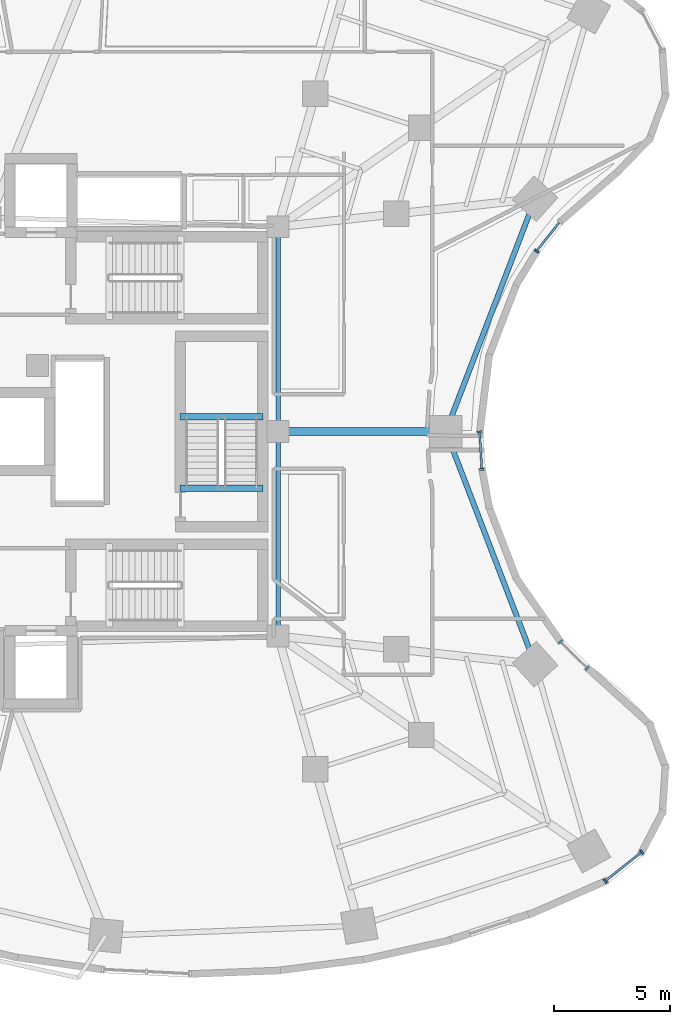
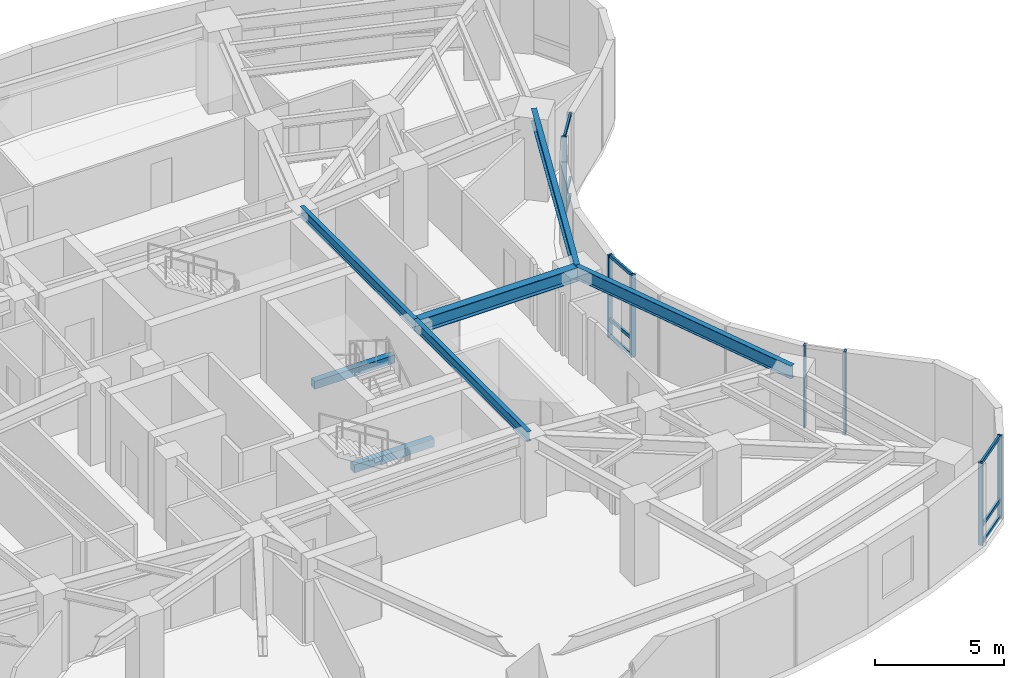
# One storey, part 4 of 15: 16 members, 7 beams, 4 elements without a shape of their own.
"""IFC4 building model written with IfcOpenShell, lengths in metres."""

from ifc_helpers import new_model, si_unit, direction, frame, origin, origin_2d, place, context, subcontext, project, spatial, rectangle, i_section, extrude, material, layer, layer_set, material_profile, profile_set, type_object, element, aggregate, save


model = new_model("IFC4")

# Units and contexts
model_context = context("Model", 3, precision=1e-05, world=origin(), true_north=direction((0.0, 1.0)))
body_context = subcontext(model_context, "Body", "Model", "MODEL_VIEW")
ifc_project = project(units=[si_unit("LENGTHUNIT", "METRE"), si_unit("AREAUNIT", "SQUARE_METRE"), si_unit("VOLUMEUNIT", "CUBIC_METRE"), si_unit("PLANEANGLEUNIT", "RADIAN"), si_unit("MASSUNIT", "GRAM", prefix="KILO")], contexts=[model_context])

# Site, building, storey
site_placement = place(None, origin())
site = spatial("IfcSite", under=ifc_project, at=site_placement, CompositionType="ELEMENT")
building_placement = place(site_placement, origin())
building = spatial("IfcBuilding", under=site, at=building_placement, Name="Korentha Bioscience Tower", CompositionType="ELEMENT")
storey_placement = place(building_placement, frame((0.0, 0.0, 34.199951171875)))
storey = spatial("IfcBuildingStorey", under=building, at=storey_placement, Name="L07", CompositionType="ELEMENT", Elevation=34.199951171875)

# Beams
ifc_material_1 = material(Name="Concrete C50", Category="concrete")
ifc_material_profile_1 = material_profile(ifc_material_1, rectangle(XDim=0.280029296875, YDim=0.3798828125, at=origin_2d()), Name="Concrete C50")
ifc_profile_set_1 = profile_set([ifc_material_profile_1], Name="Concrete C50 (ST-HB380)")
beam_type_1 = type_object("IfcBeamType", Name="Concrete Stair Header Beam RC 280x380", PredefinedType="BEAM", material=ifc_profile_set_1)
for number, where, z_axis, x_axis, name in (
    (1, (36.89990234375, 24.550048828125, -0.18994140625), (-1.0, 0.0, 0.0), (0.0, -1.0, 0.0), "L07 ST-3 Concrete Stair Header Beam"),
    (2, (36.89990234375, 27.6298828125, 1.91015625), (-1.0, 0.0, 0.0), (0.0, -1.0, 0.0), "L07 ST-3 Half-Landing Header Beam 1"),
):
    element("IfcBeam", number, at=place(storey_placement, frame(where, z_axis=z_axis, x_axis=x_axis)), inside=storey, type_object=beam_type_1, Name=name, PredefinedType="BEAM", context=body_context, shape_type="SweptSolid", body=[
        extrude(rectangle(XDim=0.280029296875, YDim=0.3798828125, at=origin_2d()), origin(), (0.0, 0.0, 1.0), 3.599853515625),
    ])
ifc_material_2 = material(Name="Steel S355", Category="steel")
ifc_material_profile_2 = material_profile(ifc_material_2, i_section(OverallWidth=0.18994140625, OverallDepth=0.45703125, WebThickness=0.009033203125, FlangeThickness=0.014404296875, at=origin_2d()), Name="Steel S355")
ifc_profile_set_2 = profile_set([ifc_material_profile_2], Name="Steel S355 (MB-460)")
beam_type_2 = type_object("IfcBeamType", Name="Mid-Ring Tie Girder W460x74", PredefinedType="BEAM", material=ifc_profile_set_2)
for number, where, z_axis, x_axis, name in (
    (3, (37.550048828125, 18.14990234375, 3.671630859375), (0.0, 1.0, 0.0), (-1.0, 0.0, 0.0), "L07 Core Ring Tie Girder 06"),
    (4, (37.550048828125, 27.0, 3.671630859375), (0.0, 1.0, 0.0), (-1.0, 0.0, 0.0), "L07 Core Ring Tie Girder 07"),
):
    element("IfcBeam", number, at=place(storey_placement, frame(where, z_axis=z_axis, x_axis=x_axis)), inside=storey, type_object=beam_type_2, Name=name, PredefinedType="BEAM", context=body_context, shape_type="SweptSolid", body=[
        extrude(i_section(OverallWidth=0.18994140625, OverallDepth=0.45703125, WebThickness=0.009033203125, FlangeThickness=0.014404296875, at=origin_2d()), origin(), (0.0, 0.0, 1.0), 8.85009765625),
    ])

# Curtain wall, members
ifc_material_3 = material(Name="Thermally Broken Aluminium Frame", Category="aluminium")
ifc_layer = layer(ifc_material_3, 0.219970703125, Name="Thermally Broken Aluminium Frame")
ifc_layer_set = layer_set([ifc_layer], Name="Thermally Broken Aluminium Frame (CW-T1)")
curtain_wall_type = type_object("IfcCurtainWallType", Name="Standard Bioscience Lab Unitised Curtain Wall CW-T1", PredefinedType="USERDEFINED", material=ifc_layer_set)
curtain_wall_1_placement = place(storey_placement, origin())
curtain_wall_1 = element("IfcCurtainWall", 5, at=curtain_wall_1_placement, inside=storey, type_object=curtain_wall_type, Name="L07 Curtain Wall 37", ObjectType="UNITISED", PredefinedType="USERDEFINED")
ifc_material_4 = material(Name="Anodised Aluminium 6063-T6", Category="aluminium")
ifc_material_profile_3 = material_profile(ifc_material_4, rectangle(XDim=0.090087890625, YDim=0.199951171875, at=origin_2d()), Name="Anodised Aluminium 6063-T6")
ifc_profile_set_3 = profile_set([ifc_material_profile_3], Name="Anodised Aluminium 6063-T6 (CW-MUL)")
member_type_1 = type_object("IfcMemberType", Name="Mullion RECT 90x200", PredefinedType="MULLION", material=ifc_profile_set_3)
member_1_placement = place(storey_placement, frame((51.6865234375, 7.56298828125, 0.0), z_axis=(0.0, 0.0, 1.0), x_axis=(0.782287851332, 0.62291710336, 0.0)))
member_1 = element("IfcMember", 6, at=member_1_placement, type_object=member_type_1, Name="CW-L07-37 Mullion 1", PredefinedType="MULLION", context=body_context, shape_type="SweptSolid", body=[
    extrude(rectangle(XDim=0.090087890625, YDim=0.199951171875, at=origin_2d()), origin(), (0.0, 0.0, 1.0), 3.900146484375),
])
member_2_placement = place(storey_placement, frame((53.264892578125, 8.81982421875, 0.0), z_axis=(0.0, 0.0, 1.0), x_axis=(0.782287851332, 0.62291710336, 0.0)))
member_2 = element("IfcMember", 7, at=member_2_placement, type_object=member_type_1, Name="CW-L07-37 Mullion 2", PredefinedType="MULLION", context=body_context, shape_type="SweptSolid", body=[
    extrude(rectangle(XDim=0.090087890625, YDim=0.199951171875, at=origin_2d()), origin(), (0.0, 0.0, 1.0), 3.900146484375),
])

curtain_wall_2_placement = place(storey_placement, origin())
curtain_wall_2 = element("IfcCurtainWall", 8, at=curtain_wall_2_placement, inside=storey, type_object=curtain_wall_type, Name="L07 Curtain Wall 43", ObjectType="UNITISED", PredefinedType="USERDEFINED")
member_3_placement = place(storey_placement, frame((50.913818359375, 16.76513671875, 0.0), z_axis=(0.0, 0.0, 1.0), x_axis=(-0.713279246754, 0.700879958445, 0.0)))
member_3 = element("IfcMember", 9, at=member_3_placement, type_object=member_type_1, Name="CW-L07-43 Mullion 1", PredefinedType="MULLION", context=body_context, shape_type="SweptSolid", body=[
    extrude(rectangle(XDim=0.090087890625, YDim=0.199951171875, at=origin_2d()), origin(), (0.0, 0.0, 1.0), 3.900146484375),
])
member_4_placement = place(storey_placement, frame((49.752685546875, 17.90625, 0.0), z_axis=(0.0, 0.0, 1.0), x_axis=(-0.713279246754, 0.700879958445, 0.0)))
member_4 = element("IfcMember", 10, at=member_4_placement, type_object=member_type_1, Name="CW-L07-43 Mullion 2", PredefinedType="MULLION", context=body_context, shape_type="SweptSolid", body=[
    extrude(rectangle(XDim=0.090087890625, YDim=0.199951171875, at=origin_2d()), origin(), (0.0, 0.0, 1.0), 3.900146484375),
])
aggregate(curtain_wall_2, [member_3, member_4])

curtain_wall_3_placement = place(storey_placement, origin())
curtain_wall_3 = element("IfcCurtainWall", 11, at=curtain_wall_3_placement, inside=storey, type_object=curtain_wall_type, Name="L07 Curtain Wall 49", ObjectType="UNITISED", PredefinedType="USERDEFINED")
member_5_placement = place(storey_placement, frame((46.355712890625, 25.3603515625, 0.0), z_axis=(0.0, 0.0, 1.0), x_axis=(-0.061008272998, 0.998137260413, 0.0)))
member_5 = element("IfcMember", 12, at=member_5_placement, type_object=member_type_1, Name="CW-L07-49 Mullion 1", PredefinedType="MULLION", context=body_context, shape_type="SweptSolid", body=[
    extrude(rectangle(XDim=0.090087890625, YDim=0.199951171875, at=origin_2d()), origin(), (0.0, 0.0, 1.0), 3.900146484375),
])
member_6_placement = place(storey_placement, frame((46.25634765625, 26.985107421875, 0.0), z_axis=(0.0, 0.0, 1.0), x_axis=(-0.061008272998, 0.998137260413, 0.0)))
member_6 = element("IfcMember", 13, at=member_6_placement, type_object=member_type_1, Name="CW-L07-49 Mullion 2", PredefinedType="MULLION", context=body_context, shape_type="SweptSolid", body=[
    extrude(rectangle(XDim=0.090087890625, YDim=0.199951171875, at=origin_2d()), origin(), (0.0, 0.0, 1.0), 3.900146484375),
])

# Curtain wall, member
curtain_wall_4_placement = place(storey_placement, origin())
curtain_wall_4 = element("IfcCurtainWall", 14, at=curtain_wall_4_placement, inside=storey, type_object=curtain_wall_type, Name="L07 Curtain Wall 55", ObjectType="UNITISED", PredefinedType="USERDEFINED")
member_7_placement = place(storey_placement, frame((48.719482421875, 34.7978515625, 0.0), z_axis=(0.0, 0.0, 1.0), x_axis=(0.622520324648, 0.782603632371, 0.0)))
member_7 = element("IfcMember", 15, at=member_7_placement, type_object=member_type_1, Name="CW-L07-55 Mullion 1", PredefinedType="MULLION", context=body_context, shape_type="SweptSolid", body=[
    extrude(rectangle(XDim=0.090087890625, YDim=0.199951171875, at=origin_2d()), origin(), (0.0, 0.0, 1.0), 3.900146484375),
])

# Beams
ifc_material_profile_4 = material_profile(ifc_material_2, i_section(OverallWidth=0.22802734375, OverallDepth=0.60791015625, WebThickness=0.01123046875, FlangeThickness=0.017333984375, at=origin_2d()), Name="Steel S355")
ifc_profile_set_4 = profile_set([ifc_material_profile_4], Name="Steel S355 (SB-610)")
beam_type_3 = type_object("IfcBeamType", Name="Perimeter Ring Spandrel Girder W610x113", PredefinedType="SPANDREL", material=ifc_profile_set_4)
for number, where, z_axis, x_axis, name in (
    (16, (48.661865234375, 16.939208984375, 3.595947265625), (-0.358473520253, 0.93353989485, 0.0), (-0.93353989485, -0.358473520253, 0.0), "L07 Perimeter Spandrel Girder 14"),
    (17, (44.798583984375, 27.0, 3.595947265625), (0.358473520253, 0.93353989485, 0.0), (-0.93353989485, 0.358473520253, 0.0), "L07 Perimeter Spandrel Girder 15"),
):
    element("IfcBeam", number, at=place(storey_placement, frame(where, z_axis=z_axis, x_axis=x_axis)), inside=storey, type_object=beam_type_3, Name=name, PredefinedType="SPANDREL", context=body_context, shape_type="SweptSolid", body=[
        extrude(i_section(OverallWidth=0.22802734375, OverallDepth=0.60791015625, WebThickness=0.01123046875, FlangeThickness=0.017333984375, at=origin_2d()), origin(), (0.0, 0.0, 1.0), 10.777099609375),
    ])
ifc_material_profile_5 = material_profile(ifc_material_2, i_section(OverallWidth=0.35009765625, OverallDepth=0.64990234375, WebThickness=0.01611328125, FlangeThickness=0.02490234375, at=origin_2d()), Name="Steel S355")
ifc_profile_set_5 = profile_set([ifc_material_profile_5], Name="Steel S355 (RB-650)")
beam_type_4 = type_object("IfcBeamType", Name="Radial Laboratory Girder CVS 650x208", PredefinedType="BEAM", material=ifc_profile_set_5)
beam_placement = place(storey_placement, frame((37.550048828125, 27.0, 3.574951171875), z_axis=(1.0, 0.0, 0.0), x_axis=(0.0, 1.0, 0.0)))
element("IfcBeam", 18, at=beam_placement, inside=storey, type_object=beam_type_4, Name="L07 Radial Girder 15", PredefinedType="BEAM", context=body_context, shape_type="SweptSolid", body=[
    extrude(i_section(OverallWidth=0.35009765625, OverallDepth=0.64990234375, WebThickness=0.01611328125, FlangeThickness=0.02490234375, at=origin_2d()), origin(), (0.0, 0.0, 1.0), 7.24853515625),
])

# Member
ifc_material_profile_6 = material_profile(ifc_material_4, rectangle(XDim=0.090087890625, YDim=0.159912109375, at=origin_2d()), Name="Anodised Aluminium 6063-T6")
ifc_profile_set_6 = profile_set([ifc_material_profile_6], Name="Anodised Aluminium 6063-T6 (CW-TRN)")
member_type_2 = type_object("IfcMemberType", Name="Transom RECT 90x160", PredefinedType="USERDEFINED", material=ifc_profile_set_6)
member_8_placement = place(storey_placement, frame((51.7216796875, 7.591064453125, 0.045166015625), z_axis=(0.78232471634, 0.622870803782, 0.0), x_axis=(-0.622870803782, 0.78232471634, 0.0)))
member_8 = element("IfcMember", 19, at=member_8_placement, type_object=member_type_2, Name="CW-L07-37 Bay 1 Transom 1", ObjectType="TRANSOM", PredefinedType="USERDEFINED", context=body_context, shape_type="SweptSolid", body=[
    extrude(rectangle(XDim=0.090087890625, YDim=0.159912109375, at=origin_2d()), origin(), (0.0, 0.0, 1.0), 1.927734375),
])

member_9_placement = place(storey_placement, frame((51.7216796875, 7.591064453125, 0.85009765625), z_axis=(0.78232471634, 0.622870803782, 0.0), x_axis=(-0.622870803782, 0.78232471634, 0.0)))
member_9 = element("IfcMember", 20, at=member_9_placement, type_object=member_type_2, Name="CW-L07-37 Bay 1 Transom 2", ObjectType="TRANSOM", PredefinedType="USERDEFINED", context=body_context, shape_type="SweptSolid", body=[
    extrude(rectangle(XDim=0.090087890625, YDim=0.159912109375, at=origin_2d()), origin(), (0.0, 0.0, 1.0), 1.927734375),
])

member_10_placement = place(storey_placement, frame((51.7216796875, 7.591064453125, 3.85498046875), z_axis=(0.78232471634, 0.622870803782, 0.0), x_axis=(-0.622870803782, 0.78232471634, 0.0)))
member_10 = element("IfcMember", 21, at=member_10_placement, type_object=member_type_2, Name="CW-L07-37 Bay 1 Transom 3", ObjectType="TRANSOM", PredefinedType="USERDEFINED", context=body_context, shape_type="SweptSolid", body=[
    extrude(rectangle(XDim=0.090087890625, YDim=0.159912109375, at=origin_2d()), origin(), (0.0, 0.0, 1.0), 1.927734375),
])

aggregate(curtain_wall_1, [member_1, member_2, member_8, member_9, member_10])

member_11_placement = place(storey_placement, frame((46.352783203125, 25.4052734375, 0.045166015625), z_axis=(-0.060964804815, 0.998139916331, 0.0), x_axis=(-0.998139916331, -0.060964804815, 0.0)))
member_11 = element("IfcMember", 22, at=member_11_placement, type_object=member_type_2, Name="CW-L07-49 Bay 1 Transom 1", ObjectType="TRANSOM", PredefinedType="USERDEFINED", context=body_context, shape_type="SweptSolid", body=[
    extrude(rectangle(XDim=0.090087890625, YDim=0.159912109375, at=origin_2d()), origin(), (0.0, 0.0, 1.0), 1.537841796875),
])

member_12_placement = place(storey_placement, frame((46.352783203125, 25.4052734375, 0.85009765625), z_axis=(-0.060964804815, 0.998139916331, 0.0), x_axis=(-0.998139916331, -0.060964804815, 0.0)))
member_12 = element("IfcMember", 23, at=member_12_placement, type_object=member_type_2, Name="CW-L07-49 Bay 1 Transom 2", ObjectType="TRANSOM", PredefinedType="USERDEFINED", context=body_context, shape_type="SweptSolid", body=[
    extrude(rectangle(XDim=0.090087890625, YDim=0.159912109375, at=origin_2d()), origin(), (0.0, 0.0, 1.0), 1.537841796875),
])

member_13_placement = place(storey_placement, frame((46.352783203125, 25.4052734375, 3.85498046875), z_axis=(-0.060964804815, 0.998139916331, 0.0), x_axis=(-0.998139916331, -0.060964804815, 0.0)))
member_13 = element("IfcMember", 24, at=member_13_placement, type_object=member_type_2, Name="CW-L07-49 Bay 1 Transom 3", ObjectType="TRANSOM", PredefinedType="USERDEFINED", context=body_context, shape_type="SweptSolid", body=[
    extrude(rectangle(XDim=0.090087890625, YDim=0.159912109375, at=origin_2d()), origin(), (0.0, 0.0, 1.0), 1.537841796875),
])

aggregate(curtain_wall_3, [member_5, member_6, member_11, member_12, member_13])

member_14_placement = place(storey_placement, frame((48.74755859375, 34.8330078125, 0.045166015625), z_axis=(0.622563336945, 0.782569416405, 0.0), x_axis=(-0.782569416405, 0.622563336945, 0.0)))
member_14 = element("IfcMember", 25, at=member_14_placement, type_object=member_type_2, Name="CW-L07-55 Bay 1 Transom 1", ObjectType="TRANSOM", PredefinedType="USERDEFINED", context=body_context, shape_type="SweptSolid", body=[
    extrude(rectangle(XDim=0.090087890625, YDim=0.159912109375, at=origin_2d()), origin(), (0.0, 0.0, 1.0), 1.5380859375),
])

member_15_placement = place(storey_placement, frame((48.74755859375, 34.8330078125, 0.85009765625), z_axis=(0.622563336945, 0.782569416405, 0.0), x_axis=(-0.782569416405, 0.622563336945, 0.0)))
member_15 = element("IfcMember", 26, at=member_15_placement, type_object=member_type_2, Name="CW-L07-55 Bay 1 Transom 2", ObjectType="TRANSOM", PredefinedType="USERDEFINED", context=body_context, shape_type="SweptSolid", body=[
    extrude(rectangle(XDim=0.090087890625, YDim=0.159912109375, at=origin_2d()), origin(), (0.0, 0.0, 1.0), 1.5380859375),
])

member_16_placement = place(storey_placement, frame((48.74755859375, 34.8330078125, 3.85498046875), z_axis=(0.622563336945, 0.782569416405, 0.0), x_axis=(-0.782569416405, 0.622563336945, 0.0)))
member_16 = element("IfcMember", 27, at=member_16_placement, type_object=member_type_2, Name="CW-L07-55 Bay 1 Transom 3", ObjectType="TRANSOM", PredefinedType="USERDEFINED", context=body_context, shape_type="SweptSolid", body=[
    extrude(rectangle(XDim=0.090087890625, YDim=0.159912109375, at=origin_2d()), origin(), (0.0, 0.0, 1.0), 1.5380859375),
])

aggregate(curtain_wall_4, [member_7, member_14, member_15, member_16])

save(model, "model.ifc")
